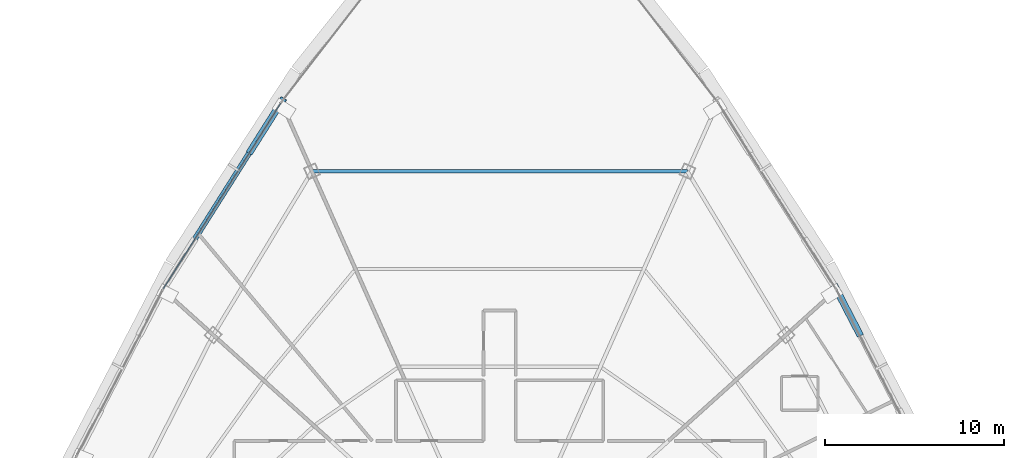
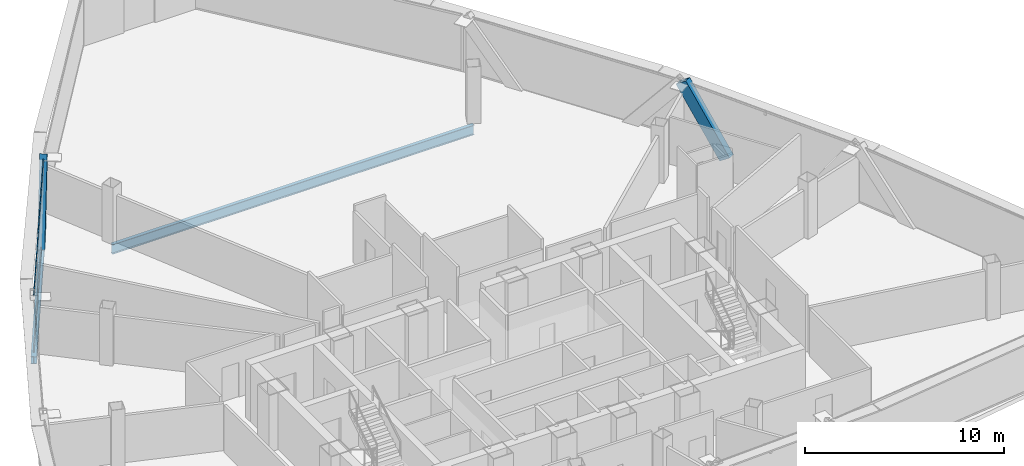
# One storey, part 20 of 34: 4 members, 2 beams, 1 element without a shape of its own.
"""IFC4 building model written with IfcOpenShell, lengths in metres."""

from ifc_helpers import new_model, si_unit, direction, frame, origin, origin_2d, place, context, subcontext, project, spatial, hollow_rectangle, i_section, extrude, source, transform, mapped, material, layer, layer_set, material_profile, profile_set, type_object, element, aggregate, save


model = new_model("IFC4")

# Units and contexts
model_context = context("Model", 3, precision=1e-05, world=origin(), true_north=direction((0.0, 1.0)))
body_context = subcontext(model_context, "Body", "Model", "MODEL_VIEW")
ifc_project = project(units=[si_unit("LENGTHUNIT", "METRE"), si_unit("AREAUNIT", "SQUARE_METRE"), si_unit("VOLUMEUNIT", "CUBIC_METRE"), si_unit("PLANEANGLEUNIT", "RADIAN"), si_unit("MASSUNIT", "GRAM", prefix="KILO"), si_unit("THERMODYNAMICTEMPERATUREUNIT", "KELVIN"), si_unit("POWERUNIT", "WATT")], contexts=[model_context])

# Site, building, storey
site_placement = place(None, origin())
site = spatial("IfcSite", under=ifc_project, at=site_placement, CompositionType="ELEMENT")
building_placement = place(site_placement, origin())
building = spatial("IfcBuilding", under=site, at=building_placement, Name="Yunzhuo Pagoda Commons", CompositionType="ELEMENT")
storey_placement = place(building_placement, frame((0.0, 0.0, 333.010009765625)))
storey = spatial("IfcBuildingStorey", under=building, at=storey_placement, Name="L83", CompositionType="ELEMENT", Elevation=333.010009765625)

# Beams
ifc_material_1 = material(Name="Structural steel Q355B", Category="steel")
ifc_material_profile_1 = material_profile(ifc_material_1, i_section(OverallWidth=0.300048828125, OverallDepth=0.43994140625, WebThickness=0.010986328125, FlangeThickness=0.01806640625, at=origin_2d()), Name="Structural steel Q355B")
ifc_profile_set_1 = profile_set([ifc_material_profile_1], Name="Structural steel Q355B")
beam_type_1 = type_object("IfcBeamType", Name="B-SP2 Beam HM 440x300x11x18", PredefinedType="BEAM", material=ifc_profile_set_1)
shared_shape_1 = source(origin(), body_context, "Body", "SweptSolid", [
    extrude(i_section(OverallWidth=0.300048828125, OverallDepth=0.43994140625, WebThickness=0.010986328125, FlangeThickness=0.01806640625, at=origin_2d()), origin(), (0.0, 0.0, 1.0), 12.39501953125),
])
beam_1_placement = place(storey_placement, frame((35.78173828125, 61.142578125, -0.47998046875), z_axis=(-0.534530897575, -0.845148933347, 0.0), x_axis=(0.845148933347, -0.534530897575, 0.0)))
element("IfcBeam", 1, at=beam_1_placement, inside=storey, type_object=beam_type_1, Name="L83 facade edge spandrel beam F3.1", PredefinedType="BEAM", context=body_context, shape_type="MappedRepresentation", body=[
    mapped(shared_shape_1, transform((0.0, 0.0, 0.0), scale=1.0)),
])
ifc_material_profile_2 = material_profile(ifc_material_1, i_section(OverallWidth=0.199951171875, OverallDepth=0.60009765625, WebThickness=0.010986328125, FlangeThickness=0.01708984375, at=origin_2d()), Name="Structural steel Q355B")
ifc_profile_set_2 = profile_set([ifc_material_profile_2], Name="Structural steel Q355B")
beam_type_2 = type_object("IfcBeamType", Name="B-RG3 Beam HN 600x200x11x17", PredefinedType="BEAM", material=ifc_profile_set_2)
shared_shape_2 = source(origin(), body_context, "Body", "SweptSolid", [
    extrude(i_section(OverallWidth=0.199951171875, OverallDepth=0.60009765625, WebThickness=0.010986328125, FlangeThickness=0.01708984375, at=origin_2d()), origin(), (0.0, 0.0, 1.0), 20.99755859375),
])
beam_2_placement = place(storey_placement, frame((58.498779296875, 57.281005859375, -0.56005859375), z_axis=(-1.0, 0.0, 0.0), x_axis=(0.0, -1.0, 0.0)))
element("IfcBeam", 2, at=beam_2_placement, inside=storey, type_object=beam_type_2, Name="L83 column-ring beam 8", PredefinedType="BEAM", context=body_context, shape_type="MappedRepresentation", body=[
    mapped(shared_shape_2, transform((0.0, 0.0, 0.0), scale=1.0)),
])

# Members
ifc_material_profile_3 = material_profile(ifc_material_1, hollow_rectangle(XDim=0.3798828125, YDim=0.719970703125, WallThickness=0.02001953125, at=origin_2d()), Name="Structural steel Q355B")
ifc_profile_set_3 = profile_set([ifc_material_profile_3], Name="Structural steel Q355B")
member_type_1 = type_object("IfcMemberType", Name="M-DL3 Brace BOX 720x380x20", PredefinedType="BRACE", material=ifc_profile_set_3)
shared_shape_3 = source(origin(), body_context, "Body", "SweptSolid", [
    extrude(hollow_rectangle(XDim=0.3798828125, YDim=0.719970703125, WallThickness=0.02001953125, at=origin_2d()), origin(), (0.0, 0.0, 1.0), 4.864501953125),
])
member_1_placement = place(storey_placement, frame((34.12548828125, 58.523681640625, -0.260009765625), z_axis=(0.340470287442, 0.538358604568, 0.77087612251), x_axis=(-0.845166729607, 0.534502758801, 0.0)))
element("IfcMember", 3, at=member_1_placement, inside=storey, type_object=member_type_1, Name="L83 facade diamond brace F3.1L", PredefinedType="BRACE", context=body_context, shape_type="MappedRepresentation", body=[
    mapped(shared_shape_3, transform((0.0, 0.0, 0.0), scale=1.0)),
])
shared_shape_4 = source(origin(), body_context, "Body", "SweptSolid", [
    extrude(hollow_rectangle(XDim=0.3798828125, YDim=0.719970703125, WallThickness=0.02001953125, at=origin_2d()), origin(), (0.0, 0.0, 1.0), 4.570556640625),
])
member_2_placement = place(storey_placement, frame((68.045654296875, 48.3466796875, -0.260009765625), z_axis=(-0.2629608306, 0.507653815565, 0.820450611014), x_axis=(-0.887945352452, -0.459948965711, 0.0)))
element("IfcMember", 4, at=member_2_placement, inside=storey, type_object=member_type_1, Name="L83 facade diamond brace F2.2R", PredefinedType="BRACE", context=body_context, shape_type="MappedRepresentation", body=[
    mapped(shared_shape_4, transform((0.0, 0.0, 0.0), scale=1.0)),
])

# Curtain wall, members
ifc_material_2 = material(Name="Anodized aluminium 6063-T6", Category="aluminium")
ifc_layer = layer(ifc_material_2, 0.139892578125)
ifc_layer_set = layer_set([ifc_layer], Name="Anodized aluminium 6063-T6")
curtain_wall_type = type_object("IfcCurtainWallType", Name="CW-HI High-Zone Ribbon Curtain Wall", PredefinedType="NOTDEFINED", material=ifc_layer_set)
curtain_wall_placement = place(storey_placement, origin())
curtain_wall = element("IfcCurtainWall", 5, at=curtain_wall_placement, inside=storey, type_object=curtain_wall_type, Name="L83 curtain wall CW-L83-F3B2", PredefinedType="NOTDEFINED")
ifc_material_profile_4 = material_profile(ifc_material_2, hollow_rectangle(XDim=0.054931640625, YDim=0.1201171875, WallThickness=0.00341796875, at=origin_2d()), Name="Anodized aluminium 6063-T6")
ifc_profile_set_4 = profile_set([ifc_material_profile_4], Name="Anodized aluminium 6063-T6")
member_type_2 = type_object("IfcMemberType", Name="CW-HI-T Transom RHS 120x55x3.5", PredefinedType="USERDEFINED", material=ifc_profile_set_4)
shared_shape_5 = source(origin(), body_context, "Body", "SweptSolid", [
    extrude(hollow_rectangle(XDim=0.054931640625, YDim=0.1201171875, WallThickness=0.00341796875, at=origin_2d()), origin(), (0.0, 0.0, 1.0), 12.27490234375),
])
member_3_placement = place(storey_placement, frame((35.749755859375, 61.091796875, 0.027587890625), z_axis=(-0.53453242194, -0.845147969231, 0.0), x_axis=(0.845147969231, -0.53453242194, 0.0)))
member_3 = element("IfcMember", 6, at=member_3_placement, type_object=member_type_2, Name="CW transom 1.1", ObjectType="TRANSOM", PredefinedType="USERDEFINED", context=body_context, shape_type="MappedRepresentation", body=[
    mapped(shared_shape_5, transform((0.0, 0.0, 0.0), scale=1.0)),
])
member_4_placement = place(storey_placement, frame((35.749755859375, 61.091796875, 3.46240234375), z_axis=(-0.53453242194, -0.845147969231, 0.0), x_axis=(0.845147969231, -0.53453242194, 0.0)))
member_4 = element("IfcMember", 7, at=member_4_placement, type_object=member_type_2, Name="CW transom 1.2", ObjectType="TRANSOM", PredefinedType="USERDEFINED", context=body_context, shape_type="MappedRepresentation", body=[
    mapped(shared_shape_5, transform((0.0, 0.0, 0.0), scale=1.0)),
])
aggregate(curtain_wall, [member_3, member_4])

save(model, "model.ifc")
